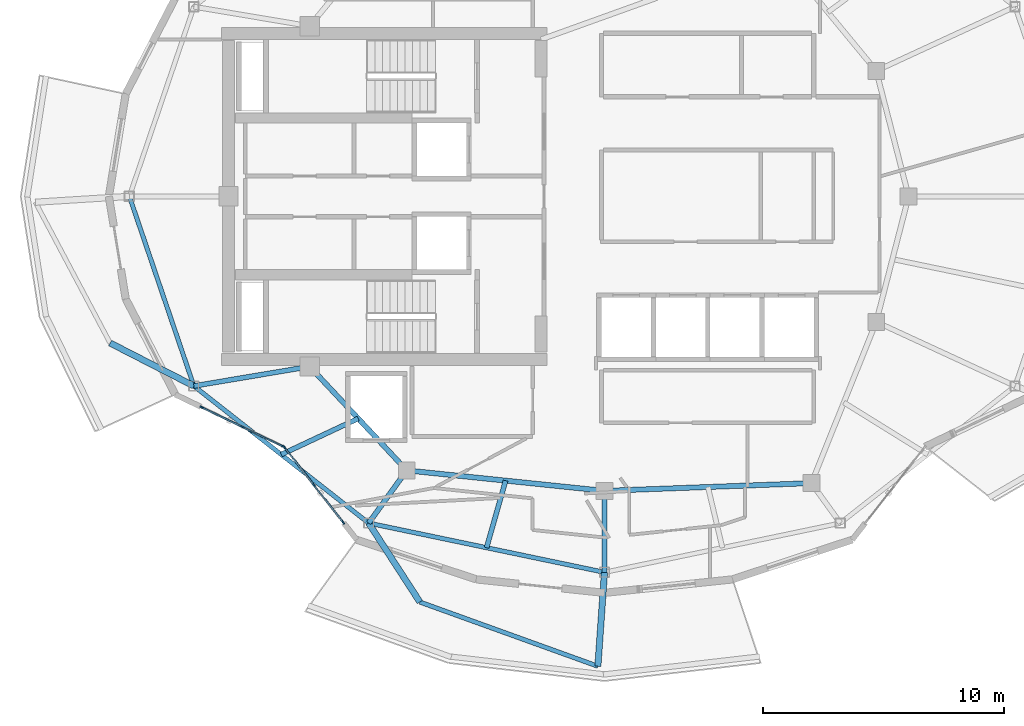
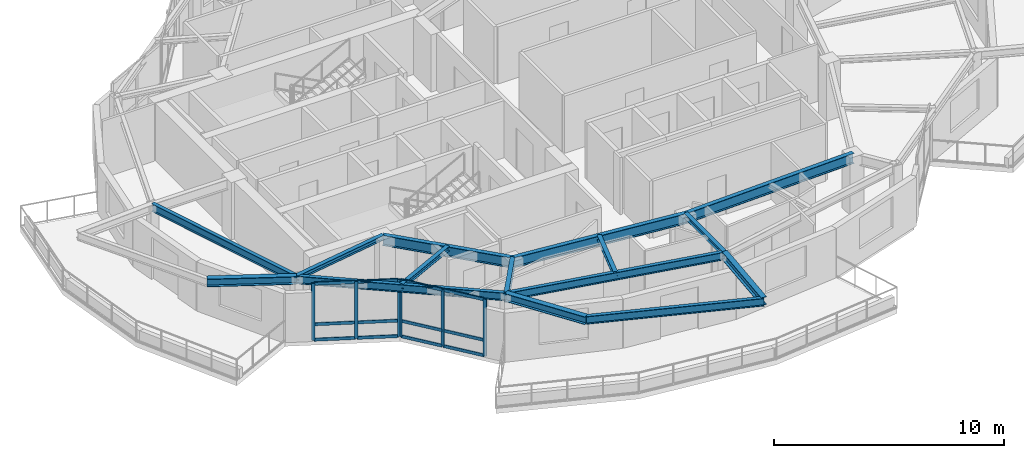
# One storey, part 2 of 15: 18 members, 15 beams, 2 elements without a shape of their own.
"""IFC4 building model written with IfcOpenShell, lengths in metres."""

from ifc_helpers import new_model, si_unit, direction, frame, origin, origin_2d, place, context, subcontext, project, spatial, rectangle, i_section, extrude, material, layer, layer_set, material_profile, profile_set, type_object, element, aggregate, save


model = new_model("IFC4")

# Units and contexts
model_context = context("Model", 3, precision=1e-05, world=origin(), true_north=direction((0.0, 1.0)))
body_context = subcontext(model_context, "Body", "Model", "MODEL_VIEW")
ifc_project = project(units=[si_unit("LENGTHUNIT", "METRE"), si_unit("AREAUNIT", "SQUARE_METRE"), si_unit("VOLUMEUNIT", "CUBIC_METRE"), si_unit("PLANEANGLEUNIT", "RADIAN"), si_unit("MASSUNIT", "GRAM", prefix="KILO")], contexts=[model_context])

# Site, building, storey
site_placement = place(None, origin())
site = spatial("IfcSite", under=ifc_project, at=site_placement, CompositionType="ELEMENT")
building_placement = place(site_placement, origin())
building = spatial("IfcBuilding", under=site, at=building_placement, Name="Kolvaren Gate Tower and Convention Centre", CompositionType="ELEMENT")
storey_placement = place(building_placement, frame((0.0, 0.0, 265.699951171875)))
storey = spatial("IfcBuildingStorey", under=building, at=storey_placement, Name="L72", CompositionType="ELEMENT", Elevation=265.699951171875)

# Curtain wall, members
ifc_material_1 = material(Name="Anodized Architectural Aluminium Alloy 6063-T6", Category="aluminium")
ifc_layer = layer(ifc_material_1, 0.159912109375)
ifc_layer_set = layer_set([ifc_layer], Name="Anodized Architectural Aluminium Alloy 6063-T6")
curtain_wall_type = type_object("IfcCurtainWallType", Name="CW-RES-UNIT", PredefinedType="NOTDEFINED", material=ifc_layer_set)
curtain_wall_1_placement = place(storey_placement, origin())
curtain_wall_1 = element("IfcCurtainWall", 1, at=curtain_wall_1_placement, inside=storey, type_object=curtain_wall_type, Name="Tower L72 Unitised Curtain Wall CW-RES-UNIT Bay 14", PredefinedType="NOTDEFINED")
ifc_material_profile_1 = material_profile(ifc_material_1, rectangle(XDim=0.06494140625, YDim=0.159912109375, at=origin_2d()), Name="CW-MEM-MUL-160")
ifc_profile_set_1 = profile_set([ifc_material_profile_1], Name="Anodized Architectural Aluminium Alloy 6063-T6")
member_type_1 = type_object("IfcMemberType", Name="CW-MEM-MUL-160", PredefinedType="MULLION", material=ifc_profile_set_1)
member_1_placement = place(storey_placement, frame((13.438232421875, 18.261962890625, 0.0), z_axis=(0.0, 0.0, 1.0), x_axis=(0.433070351816, 0.901360122469, 0.0)))
member_1 = element("IfcMember", 2, at=member_1_placement, type_object=member_type_1, Name="CW-04 mullion 1", PredefinedType="MULLION", context=body_context, shape_type="SweptSolid", body=[
    extrude(rectangle(XDim=0.06494140625, YDim=0.159912109375, at=origin_2d()), origin(), (0.0, 0.0, 1.0), 3.030029296875),
])
member_2_placement = place(storey_placement, frame((15.12744140625, 17.4501953125, 0.0), z_axis=(0.0, 0.0, 1.0), x_axis=(0.433070351816, 0.901360122469, 0.0)))
member_2 = element("IfcMember", 3, at=member_2_placement, type_object=member_type_1, Name="CW-04 mullion 2", PredefinedType="MULLION", context=body_context, shape_type="SweptSolid", body=[
    extrude(rectangle(XDim=0.06494140625, YDim=0.159912109375, at=origin_2d()), origin(), (0.0, 0.0, 1.0), 3.030029296875),
])
member_3_placement = place(storey_placement, frame((16.81689453125, 16.638671875, 0.0), z_axis=(0.0, 0.0, 1.0), x_axis=(0.433070351816, 0.901360122469, 0.0)))
member_3 = element("IfcMember", 4, at=member_3_placement, type_object=member_type_1, Name="CW-04 mullion 3", PredefinedType="MULLION", context=body_context, shape_type="SweptSolid", body=[
    extrude(rectangle(XDim=0.06494140625, YDim=0.159912109375, at=origin_2d()), origin(), (0.0, 0.0, 1.0), 3.030029296875),
])

curtain_wall_2_placement = place(storey_placement, origin())
curtain_wall_2 = element("IfcCurtainWall", 5, at=curtain_wall_2_placement, inside=storey, type_object=curtain_wall_type, Name="Tower L72 Unitised Curtain Wall CW-RES-UNIT Bay 15", PredefinedType="NOTDEFINED")
member_4_placement = place(storey_placement, frame((16.8662109375, 16.59912109375, 0.0), z_axis=(0.0, 0.0, 1.0), x_axis=(0.787412947119, 0.616425867976, 0.0)))
member_4 = element("IfcMember", 6, at=member_4_placement, type_object=member_type_1, Name="CW-04 mullion 1", PredefinedType="MULLION", context=body_context, shape_type="SweptSolid", body=[
    extrude(rectangle(XDim=0.06494140625, YDim=0.159912109375, at=origin_2d()), origin(), (0.0, 0.0, 1.0), 3.030029296875),
])
member_5_placement = place(storey_placement, frame((18.082763671875, 15.045166015625, 0.0), z_axis=(0.0, 0.0, 1.0), x_axis=(0.787412947119, 0.616425867976, 0.0)))
member_5 = element("IfcMember", 7, at=member_5_placement, type_object=member_type_1, Name="CW-04 mullion 2", PredefinedType="MULLION", context=body_context, shape_type="SweptSolid", body=[
    extrude(rectangle(XDim=0.06494140625, YDim=0.159912109375, at=origin_2d()), origin(), (0.0, 0.0, 1.0), 3.030029296875),
])
member_6_placement = place(storey_placement, frame((19.299072265625, 13.4912109375, 0.0), z_axis=(0.0, 0.0, 1.0), x_axis=(0.787412947119, 0.616425867976, 0.0)))
member_6 = element("IfcMember", 8, at=member_6_placement, type_object=member_type_1, Name="CW-04 mullion 3", PredefinedType="MULLION", context=body_context, shape_type="SweptSolid", body=[
    extrude(rectangle(XDim=0.06494140625, YDim=0.159912109375, at=origin_2d()), origin(), (0.0, 0.0, 1.0), 3.030029296875),
])

# Member
ifc_material_profile_2 = material_profile(ifc_material_1, rectangle(XDim=0.06494140625, YDim=0.159912109375, at=origin_2d()), Name="CW-MEM-TRN-160")
ifc_profile_set_2 = profile_set([ifc_material_profile_2], Name="Anodized Architectural Aluminium Alloy 6063-T6")
member_type_2 = type_object("IfcMemberType", Name="CW-MEM-TRN-160", PredefinedType="USERDEFINED", material=ifc_profile_set_2)
member_7_placement = place(storey_placement, frame((13.467529296875, 18.247802734375, 0.032470703125), z_axis=(0.901360838228, -0.433068862086, 0.0), x_axis=(0.433068862086, 0.901360838228, 0.0)))
member_7 = element("IfcMember", 9, at=member_7_placement, type_object=member_type_2, Name="CW-04 transom 1.1", ObjectType="TRANSOM", PredefinedType="USERDEFINED", context=body_context, shape_type="SweptSolid", body=[
    extrude(rectangle(XDim=0.06494140625, YDim=0.159912109375, at=origin_2d()), origin(), (0.0, 0.0, 1.0), 1.80908203125),
])

member_8_placement = place(storey_placement, frame((13.467529296875, 18.247802734375, 0.85009765625), z_axis=(0.901360838228, -0.433068862086, 0.0), x_axis=(0.433068862086, 0.901360838228, 0.0)))
member_8 = element("IfcMember", 10, at=member_8_placement, type_object=member_type_2, Name="CW-04 transom 1.2", ObjectType="TRANSOM", PredefinedType="USERDEFINED", context=body_context, shape_type="SweptSolid", body=[
    extrude(rectangle(XDim=0.06494140625, YDim=0.159912109375, at=origin_2d()), origin(), (0.0, 0.0, 1.0), 1.80908203125),
])

member_9_placement = place(storey_placement, frame((13.467529296875, 18.247802734375, 2.99755859375), z_axis=(0.901360838228, -0.433068862086, 0.0), x_axis=(0.433068862086, 0.901360838228, 0.0)))
member_9 = element("IfcMember", 11, at=member_9_placement, type_object=member_type_2, Name="CW-04 transom 1.3", ObjectType="TRANSOM", PredefinedType="USERDEFINED", context=body_context, shape_type="SweptSolid", body=[
    extrude(rectangle(XDim=0.06494140625, YDim=0.159912109375, at=origin_2d()), origin(), (0.0, 0.0, 1.0), 1.80908203125),
])

member_10_placement = place(storey_placement, frame((15.15673828125, 17.436279296875, 0.032470703125), z_axis=(0.901386144136, -0.433016188104, 0.0), x_axis=(0.433016188104, 0.901386144136, 0.0)))
member_10 = element("IfcMember", 12, at=member_10_placement, type_object=member_type_2, Name="CW-04 transom 2.1", ObjectType="TRANSOM", PredefinedType="USERDEFINED", context=body_context, shape_type="SweptSolid", body=[
    extrude(rectangle(XDim=0.06494140625, YDim=0.159912109375, at=origin_2d()), origin(), (0.0, 0.0, 1.0), 1.809326171875),
])

member_11_placement = place(storey_placement, frame((15.15673828125, 17.436279296875, 0.85009765625), z_axis=(0.901386144136, -0.433016188104, 0.0), x_axis=(0.433016188104, 0.901386144136, 0.0)))
member_11 = element("IfcMember", 13, at=member_11_placement, type_object=member_type_2, Name="CW-04 transom 2.2", ObjectType="TRANSOM", PredefinedType="USERDEFINED", context=body_context, shape_type="SweptSolid", body=[
    extrude(rectangle(XDim=0.06494140625, YDim=0.159912109375, at=origin_2d()), origin(), (0.0, 0.0, 1.0), 1.809326171875),
])

member_12_placement = place(storey_placement, frame((15.15673828125, 17.436279296875, 2.99755859375), z_axis=(0.901386144136, -0.433016188104, 0.0), x_axis=(0.433016188104, 0.901386144136, 0.0)))
member_12 = element("IfcMember", 14, at=member_12_placement, type_object=member_type_2, Name="CW-04 transom 2.3", ObjectType="TRANSOM", PredefinedType="USERDEFINED", context=body_context, shape_type="SweptSolid", body=[
    extrude(rectangle(XDim=0.06494140625, YDim=0.159912109375, at=origin_2d()), origin(), (0.0, 0.0, 1.0), 1.809326171875),
])

aggregate(curtain_wall_1, [member_1, member_2, member_3, member_7, member_8, member_9, member_10, member_11, member_12])

member_13_placement = place(storey_placement, frame((16.88623046875, 16.573486328125, 0.032470703125), z_axis=(0.616328956941, -0.787488804261, 0.0), x_axis=(0.787488804261, 0.616328956941, 0.0)))
member_13 = element("IfcMember", 15, at=member_13_placement, type_object=member_type_2, Name="CW-04 transom 1.1", ObjectType="TRANSOM", PredefinedType="USERDEFINED", context=body_context, shape_type="SweptSolid", body=[
    extrude(rectangle(XDim=0.06494140625, YDim=0.159912109375, at=origin_2d()), origin(), (0.0, 0.0, 1.0), 1.908447265625),
])

member_14_placement = place(storey_placement, frame((16.88623046875, 16.573486328125, 0.85009765625), z_axis=(0.616328956941, -0.787488804261, 0.0), x_axis=(0.787488804261, 0.616328956941, 0.0)))
member_14 = element("IfcMember", 16, at=member_14_placement, type_object=member_type_2, Name="CW-04 transom 1.2", ObjectType="TRANSOM", PredefinedType="USERDEFINED", context=body_context, shape_type="SweptSolid", body=[
    extrude(rectangle(XDim=0.06494140625, YDim=0.159912109375, at=origin_2d()), origin(), (0.0, 0.0, 1.0), 1.908447265625),
])

member_15_placement = place(storey_placement, frame((16.88623046875, 16.573486328125, 2.99755859375), z_axis=(0.616328956941, -0.787488804261, 0.0), x_axis=(0.787488804261, 0.616328956941, 0.0)))
member_15 = element("IfcMember", 17, at=member_15_placement, type_object=member_type_2, Name="CW-04 transom 1.3", ObjectType="TRANSOM", PredefinedType="USERDEFINED", context=body_context, shape_type="SweptSolid", body=[
    extrude(rectangle(XDim=0.06494140625, YDim=0.159912109375, at=origin_2d()), origin(), (0.0, 0.0, 1.0), 1.908447265625),
])

member_16_placement = place(storey_placement, frame((18.102783203125, 15.01953125, 0.032470703125), z_axis=(0.616328956941, -0.787488804261, 0.0), x_axis=(0.787488804261, 0.616328956941, 0.0)))
member_16 = element("IfcMember", 18, at=member_16_placement, type_object=member_type_2, Name="CW-04 transom 2.1", ObjectType="TRANSOM", PredefinedType="USERDEFINED", context=body_context, shape_type="SweptSolid", body=[
    extrude(rectangle(XDim=0.06494140625, YDim=0.159912109375, at=origin_2d()), origin(), (0.0, 0.0, 1.0), 1.908447265625),
])

member_17_placement = place(storey_placement, frame((18.102783203125, 15.01953125, 0.85009765625), z_axis=(0.616328956941, -0.787488804261, 0.0), x_axis=(0.787488804261, 0.616328956941, 0.0)))
member_17 = element("IfcMember", 19, at=member_17_placement, type_object=member_type_2, Name="CW-04 transom 2.2", ObjectType="TRANSOM", PredefinedType="USERDEFINED", context=body_context, shape_type="SweptSolid", body=[
    extrude(rectangle(XDim=0.06494140625, YDim=0.159912109375, at=origin_2d()), origin(), (0.0, 0.0, 1.0), 1.908447265625),
])

member_18_placement = place(storey_placement, frame((18.102783203125, 15.01953125, 2.99755859375), z_axis=(0.616328956941, -0.787488804261, 0.0), x_axis=(0.787488804261, 0.616328956941, 0.0)))
member_18 = element("IfcMember", 20, at=member_18_placement, type_object=member_type_2, Name="CW-04 transom 2.3", ObjectType="TRANSOM", PredefinedType="USERDEFINED", context=body_context, shape_type="SweptSolid", body=[
    extrude(rectangle(XDim=0.06494140625, YDim=0.159912109375, at=origin_2d()), origin(), (0.0, 0.0, 1.0), 1.908447265625),
])

aggregate(curtain_wall_2, [member_4, member_5, member_6, member_13, member_14, member_15, member_16, member_17, member_18])

# Beams
ifc_material_2 = material(Name="Structural steel ASTM A992 Grade 345 MPa", Category="steel")
ifc_material_profile_3 = material_profile(ifc_material_2, i_section(OverallWidth=0.260009765625, OverallDepth=0.419921875, WebThickness=0.013427734375, FlangeThickness=0.0224609375, at=origin_2d()), Name="W410X132")
ifc_profile_set_3 = profile_set([ifc_material_profile_3], Name="Structural steel ASTM A992 Grade 345 MPa")
beam_type_1 = type_object("IfcBeamType", Name="STR-BM-W410X132", PredefinedType="BEAM", material=ifc_profile_set_3)
for number, where, z_axis, x_axis, name in (
    (21, (13.1162109375, 19.143798828125, 2.820556640625), (-0.889772489372, 0.456404335164, 0.0), (-0.456404335164, -0.889772489372, 0.0), "Tower L73 Planted Balcony Outrigger Cantilever BC-2B"),
    (22, (20.356689453125, 13.46484375, 2.820556640625), (0.544416149216, -0.838815269575, 0.0), (0.838815269575, 0.544416149216, 0.0), "Tower L73 Planted Balcony Outrigger Cantilever BC-3A"),
):
    element("IfcBeam", number, at=place(storey_placement, frame(where, z_axis=z_axis, x_axis=x_axis)), inside=storey, type_object=beam_type_1, Name=name, PredefinedType="BEAM", context=body_context, shape_type="SweptSolid", body=[
        extrude(i_section(OverallWidth=0.260009765625, OverallDepth=0.419921875, WebThickness=0.013427734375, FlangeThickness=0.0224609375, at=origin_2d()), origin(), (0.0, 0.0, 1.0), 3.900146484375),
    ])
beam_1_placement = place(storey_placement, frame((30.125, 11.425048828125, 2.820556640625), z_axis=(-0.070050275129, -0.997543462188, 0.0), x_axis=(0.997543462188, -0.070050275129, 0.0)))
element("IfcBeam", 23, at=beam_1_placement, inside=storey, type_object=beam_type_1, Name="Tower L73 Planted Balcony Outrigger Cantilever BC-3B", PredefinedType="BEAM", context=body_context, shape_type="SweptSolid", body=[
    extrude(i_section(OverallWidth=0.260009765625, OverallDepth=0.419921875, WebThickness=0.013427734375, FlangeThickness=0.0224609375, at=origin_2d()), origin(), (0.0, 0.0, 1.0), 3.89990234375),
])
ifc_material_profile_4 = material_profile(ifc_material_2, i_section(OverallWidth=0.2119140625, OverallDepth=0.5439453125, WebThickness=0.01318359375, FlangeThickness=0.021240234375, at=origin_2d()), Name="W530X123")
ifc_profile_set_4 = profile_set([ifc_material_profile_4], Name="Structural steel ASTM A992 Grade 345 MPa")
beam_type_2 = type_object("IfcBeamType", Name="STR-BM-W530X123", PredefinedType="BEAM", material=ifc_profile_set_4)
beam_2_placement = place(storey_placement, frame((17.9140625, 19.949951171875, 2.758056640625), z_axis=(0.682557592987, -0.730831808459, 0.0), x_axis=(0.730831808459, 0.682557592987, 0.0)))
element("IfcBeam", 24, at=beam_2_placement, inside=storey, type_object=beam_type_2, Name="Tower L72 Primary Ring Girder G-06", PredefinedType="BEAM", context=body_context, shape_type="SweptSolid", body=[
    extrude(i_section(OverallWidth=0.2119140625, OverallDepth=0.5439453125, WebThickness=0.01318359375, FlangeThickness=0.021240234375, at=origin_2d()), origin(), (0.0, 0.0, 1.0), 5.88671875),
])
beam_3_placement = place(storey_placement, frame((21.93212890625, 15.647705078125, 2.758056640625), z_axis=(0.994690329115, -0.102913308978, 0.0), x_axis=(0.102913308978, 0.994690329115, 0.0)))
element("IfcBeam", 25, at=beam_3_placement, inside=storey, type_object=beam_type_2, Name="Tower L72 Primary Ring Girder G-07", PredefinedType="BEAM", context=body_context, shape_type="SweptSolid", body=[
    extrude(i_section(OverallWidth=0.2119140625, OverallDepth=0.5439453125, WebThickness=0.01318359375, FlangeThickness=0.021240234375, at=origin_2d()), origin(), (0.0, 0.0, 1.0), 8.236572265625),
])
beam_4_placement = place(storey_placement, frame((30.125, 14.800048828125, 2.758056640625), z_axis=(0.999301712453, 0.037364254142, 0.0), x_axis=(-0.037364254142, 0.999301712453, 0.0)))
element("IfcBeam", 26, at=beam_4_placement, inside=storey, type_object=beam_type_2, Name="Tower L72 Primary Ring Girder G-08", PredefinedType="BEAM", context=body_context, shape_type="SweptSolid", body=[
    extrude(i_section(OverallWidth=0.2119140625, OverallDepth=0.5439453125, WebThickness=0.01318359375, FlangeThickness=0.021240234375, at=origin_2d()), origin(), (0.0, 0.0, 1.0), 8.579345703125),
])
beam_5_placement = place(storey_placement, frame((21.93212890625, 15.647705078125, 2.758056640625), z_axis=(-0.585228935975, -0.810868110421, 0.0), x_axis=(0.810868110421, -0.585228935975, 0.0)))
element("IfcBeam", 27, at=beam_5_placement, inside=storey, type_object=beam_type_2, Name="Tower L72 Radial Floor Girder RB-09", PredefinedType="BEAM", context=body_context, shape_type="SweptSolid", body=[
    extrude(i_section(OverallWidth=0.2119140625, OverallDepth=0.5439453125, WebThickness=0.01318359375, FlangeThickness=0.021240234375, at=origin_2d()), origin(), (0.0, 0.0, 1.0), 2.69189453125),
])
ifc_material_profile_5 = material_profile(ifc_material_2, i_section(OverallWidth=0.202880859375, OverallDepth=0.251953125, WebThickness=0.008056640625, FlangeThickness=0.013427734375, at=origin_2d()), Name="W250X58")
ifc_profile_set_5 = profile_set([ifc_material_profile_5], Name="Structural steel ASTM A992 Grade 345 MPa")
beam_type_3 = type_object("IfcBeamType", Name="STR-JS-W250X58", PredefinedType="JOIST", material=ifc_profile_set_5)
beam_6_placement = place(storey_placement, frame((17.9140625, 19.949951171875, 2.904052734375), z_axis=(-0.986176061403, -0.165700862749, 0.0), x_axis=(0.165700862749, -0.986176061403, 0.0)))
element("IfcBeam", 28, at=beam_6_placement, inside=storey, type_object=beam_type_3, Name="Tower L72 Radial Floor Girder RB-08", PredefinedType="JOIST", context=body_context, shape_type="SweptSolid", body=[
    extrude(i_section(OverallWidth=0.202880859375, OverallDepth=0.251953125, WebThickness=0.008056640625, FlangeThickness=0.013427734375, at=origin_2d()), origin(), (0.0, 0.0, 1.0), 4.864990234375),
])
beam_7_placement = place(storey_placement, frame((30.125, 14.800048828125, 2.904052734375), z_axis=(0.0, -1.0, 0.0), x_axis=(1.0, 0.0, 0.0)))
element("IfcBeam", 29, at=beam_7_placement, inside=storey, type_object=beam_type_3, Name="Tower L72 Radial Floor Girder RB-10", PredefinedType="JOIST", context=body_context, shape_type="SweptSolid", body=[
    extrude(i_section(OverallWidth=0.202880859375, OverallDepth=0.251953125, WebThickness=0.008056640625, FlangeThickness=0.013427734375, at=origin_2d()), origin(), (0.0, 0.0, 1.0), 3.375),
])
beam_8_placement = place(storey_placement, frame((19.923095703125, 17.798828125, 2.904052734375), z_axis=(-0.90535561097, -0.424654233095, 0.0), x_axis=(0.424654233095, -0.90535561097, 0.0)))
element("IfcBeam", 30, at=beam_8_placement, inside=storey, type_object=beam_type_3, Name="Tower L72 Secondary Composite Floor Joist J-08.1", PredefinedType="JOIST", context=body_context, shape_type="SweptSolid", body=[
    extrude(i_section(OverallWidth=0.202880859375, OverallDepth=0.251953125, WebThickness=0.008056640625, FlangeThickness=0.013427734375, at=origin_2d()), origin(), (0.0, 0.0, 1.0), 3.51953125),
])
beam_9_placement = place(storey_placement, frame((26.028564453125, 15.223876953125, 2.904052734375), z_axis=(-0.272666468309, -0.962108620198, 0.0), x_axis=(0.962108620198, -0.272666468309, 0.0)))
element("IfcBeam", 31, at=beam_9_placement, inside=storey, type_object=beam_type_3, Name="Tower L72 Secondary Composite Floor Joist J-09.1", PredefinedType="JOIST", context=body_context, shape_type="SweptSolid", body=[
    extrude(i_section(OverallWidth=0.202880859375, OverallDepth=0.251953125, WebThickness=0.008056640625, FlangeThickness=0.013427734375, at=origin_2d()), origin(), (0.0, 0.0, 1.0), 2.888427734375),
])
ifc_material_profile_6 = material_profile(ifc_material_2, i_section(OverallWidth=0.180908203125, OverallDepth=0.4169921875, WebThickness=0.010986328125, FlangeThickness=0.018310546875, at=origin_2d()), Name="W410X85")
ifc_profile_set_6 = profile_set([ifc_material_profile_6], Name="Structural steel ASTM A992 Grade 345 MPa")
beam_type_4 = type_object("IfcBeamType", Name="STR-SP-W410X85", PredefinedType="SPANDREL", material=ifc_profile_set_6)
beam_10_placement = place(storey_placement, frame((10.44384765625, 27.0, 2.821533203125), z_axis=(0.322038282171, -0.946726647357, 0.0), x_axis=(0.946726647357, 0.322038282171, 0.0)))
element("IfcBeam", 32, at=beam_10_placement, inside=storey, type_object=beam_type_4, Name="Tower L72 Perimeter Spandrel Beam SP-07", PredefinedType="SPANDREL", context=body_context, shape_type="SweptSolid", body=[
    extrude(i_section(OverallWidth=0.180908203125, OverallDepth=0.4169921875, WebThickness=0.010986328125, FlangeThickness=0.018310546875, at=origin_2d()), origin(), (0.0, 0.0, 1.0), 8.29833984375),
])
beam_11_placement = place(storey_placement, frame((13.1162109375, 19.143798828125, 2.821533203125), z_axis=(0.786845586039, -0.61714991998, 0.0), x_axis=(0.61714991998, 0.786845586039, 0.0)))
element("IfcBeam", 33, at=beam_11_placement, inside=storey, type_object=beam_type_4, Name="Tower L72 Perimeter Spandrel Beam SP-08", PredefinedType="SPANDREL", context=body_context, shape_type="SweptSolid", body=[
    extrude(i_section(OverallWidth=0.180908203125, OverallDepth=0.4169921875, WebThickness=0.010986328125, FlangeThickness=0.018310546875, at=origin_2d()), origin(), (0.0, 0.0, 1.0), 9.201904296875),
])
beam_12_placement = place(storey_placement, frame((20.356689453125, 13.46484375, 2.821533203125), z_axis=(0.978885668593, -0.204408531681, 0.0), x_axis=(0.204408531681, 0.978885668593, 0.0)))
element("IfcBeam", 34, at=beam_12_placement, inside=storey, type_object=beam_type_4, Name="Tower L72 Perimeter Spandrel Beam SP-09", PredefinedType="SPANDREL", context=body_context, shape_type="SweptSolid", body=[
    extrude(i_section(OverallWidth=0.180908203125, OverallDepth=0.4169921875, WebThickness=0.010986328125, FlangeThickness=0.018310546875, at=origin_2d()), origin(), (0.0, 0.0, 1.0), 9.97900390625),
])
beam_13_placement = place(storey_placement, frame((22.47998046875, 10.193359375, 2.822021484375), z_axis=(0.940690666396, -0.339265486241, 0.0), x_axis=(0.339265486241, 0.940690666396, 0.0)))
element("IfcBeam", 35, at=beam_13_placement, inside=storey, type_object=beam_type_4, Name="Tower L73 Planted Balcony Header Tie Beam BT-3", PredefinedType="SPANDREL", context=body_context, shape_type="SweptSolid", body=[
    extrude(i_section(OverallWidth=0.180908203125, OverallDepth=0.4169921875, WebThickness=0.010986328125, FlangeThickness=0.018310546875, at=origin_2d()), origin(), (0.0, 0.0, 1.0), 7.836669921875),
])

save(model, "model.ifc")
